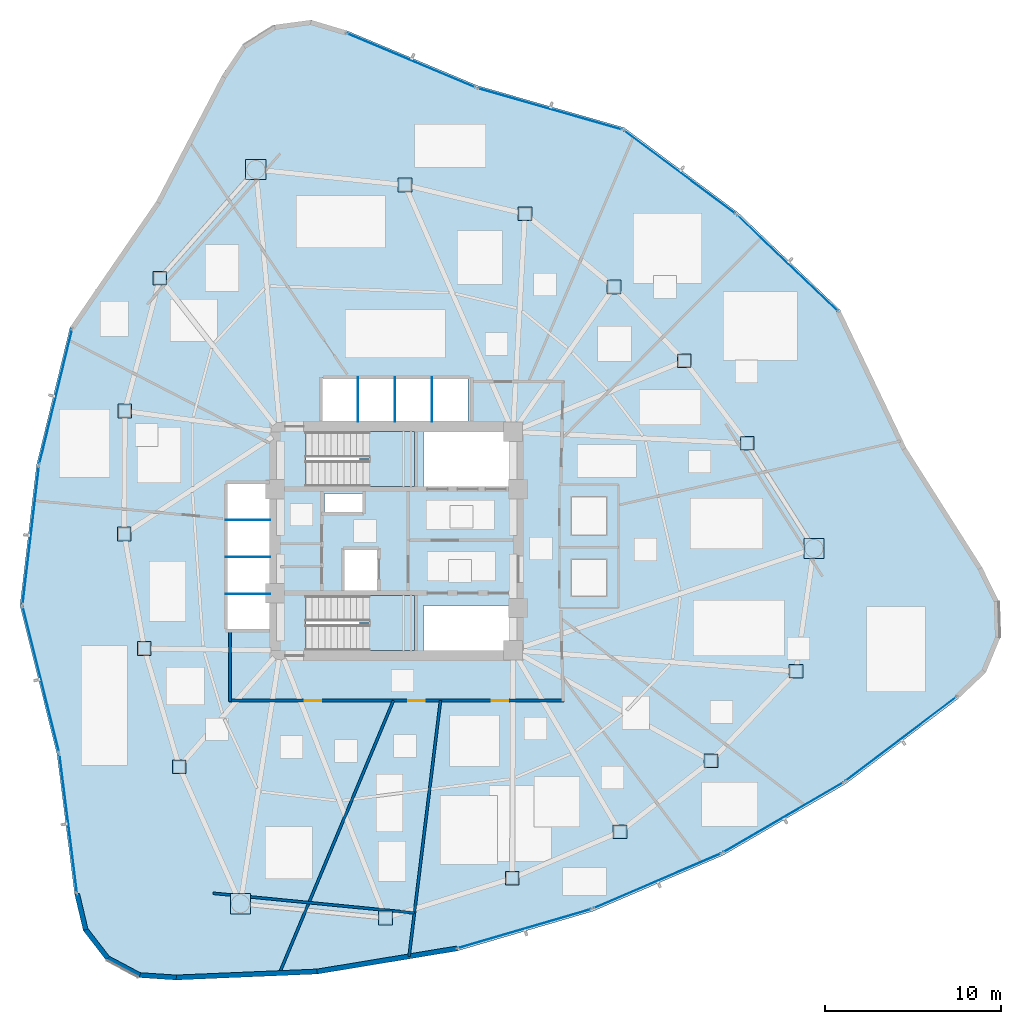
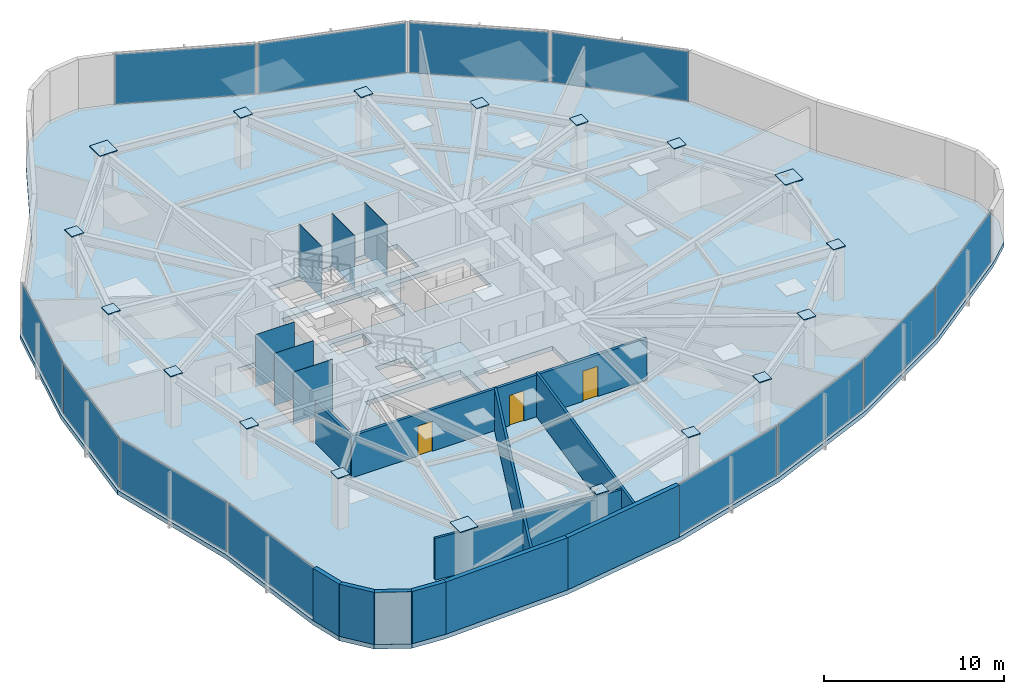
# One storey, part 10 of 17: 36 plates, 11 walls, 3 doors, 3 slabs, 3 openings, 14 elements without a shape of their own.
"""IFC4 building model written with IfcOpenShell, lengths in metres."""

from ifc_helpers import new_model, si_unit, direction, frame, frame_2d, origin, origin_2d, place, context, subcontext, project, spatial, polyline, rectangle, outline, extrude, source, transform, mapped, material, layer, layer_set, type_object, type_shapes, element, fill, aggregate, save


model = new_model("IFC4")

# Units and contexts
model_context = context("Model", 3, precision=1e-05, world=origin(), true_north=direction((0.0, 1.0)))
body_context = subcontext(model_context, "Body", "Model", "MODEL_VIEW")
ifc_project = project(units=[si_unit("LENGTHUNIT", "METRE"), si_unit("AREAUNIT", "SQUARE_METRE"), si_unit("VOLUMEUNIT", "CUBIC_METRE"), si_unit("PLANEANGLEUNIT", "RADIAN"), si_unit("MASSUNIT", "GRAM", prefix="KILO")], contexts=[model_context])

# Site, building, storey
site_placement = place(None, origin())
site = spatial("IfcSite", under=ifc_project, at=site_placement, CompositionType="ELEMENT")
building_placement = place(site_placement, origin())
building = spatial("IfcBuilding", under=site, at=building_placement, Name="Tavelor Broadcast Tower", CompositionType="ELEMENT")
storey_placement = place(building_placement, frame((0.0, 0.0, 115.60009765625)))
storey = spatial("IfcBuildingStorey", under=building, at=storey_placement, Name="L26", CompositionType="ELEMENT", Elevation=115.60009765625)

# Stair, slab
ifc_material_1 = material(Name="Concrete C40/50", Category="concrete")
stair_type = type_object("IfcStairType", Name="Reinforced Concrete Protected Dogleg Stair 1450 mm", PredefinedType="HALF_TURN_STAIR", material=ifc_material_1)
stair_1_placement = place(storey_placement, origin())
stair_1 = element("IfcStair", 1, at=stair_1_placement, inside=storey, type_object=stair_type, Name="L26 Protected Core Exit Stair ST1", PredefinedType="HALF_TURN_STAIR")
ifc_layer_1 = layer(ifc_material_1, 0.199951171875)
ifc_layer_set_1 = layer_set([ifc_layer_1], Name="Concrete C40/50")
slab_type_1 = type_object("IfcSlabType", Name="Reinforced Concrete Stair Half-Landing Slab 200 mm", PredefinedType="LANDING", material=ifc_layer_set_1)
slab_1_placement = place(storey_placement, frame((0.0, 0.0, 1.724853515625)))
slab_1 = element("IfcSlab", 2, at=slab_1_placement, type_object=slab_type_1, Name="ST1 landing 1", PredefinedType="LANDING", context=body_context, shape_type="SweptSolid", body=[
    extrude(outline(polyline([(48.445068359375, 49.590087890625), (48.445068359375, 48.094970703125), (51.0048828125, 48.094970703125), (51.0048828125, 51.205078125), (48.445068359375, 51.205078125), (48.445068359375, 49.7099609375), (47.905029296875, 49.7099609375), (47.905029296875, 49.590087890625), (48.445068359375, 49.590087890625)])), origin(), (0.0, 0.0, 1.0), 0.199951171875),
])
aggregate(stair_1, [slab_1])

stair_2_placement = place(storey_placement, origin())
stair_2 = element("IfcStair", 3, at=stair_2_placement, inside=storey, type_object=stair_type, Name="L26 Protected Core Exit Stair ST2", PredefinedType="HALF_TURN_STAIR")
slab_2_placement = place(storey_placement, frame((0.0, 0.0, 1.724853515625)))
slab_2 = element("IfcSlab", 4, at=slab_2_placement, type_object=slab_type_1, Name="ST2 landing 1", PredefinedType="LANDING", context=body_context, shape_type="SweptSolid", body=[
    extrude(outline(polyline([(48.445068359375, 40.2900390625), (48.445068359375, 38.794921875), (51.0048828125, 38.794921875), (51.0048828125, 41.905029296875), (48.445068359375, 41.905029296875), (48.445068359375, 40.409912109375), (47.905029296875, 40.409912109375), (47.905029296875, 40.2900390625), (48.445068359375, 40.2900390625)])), origin(), (0.0, 0.0, 1.0), 0.199951171875),
])
aggregate(stair_2, [slab_2])

# Slab
ifc_layer_2 = layer(ifc_material_1, 0.300048828125)
ifc_layer_set_2 = layer_set([ifc_layer_2], Name="Concrete C40/50")
slab_type_2 = type_object("IfcSlabType", Name="Tower Composite Floor Slab 300 mm", PredefinedType="FLOOR", material=ifc_layer_set_2)
slab_3_placement = place(storey_placement, frame((0.0, 0.0, -0.300048828125)))
element("IfcSlab", 5, at=slab_3_placement, inside=storey, type_object=slab_type_2, Name="L26 Structural Floor Slab", PredefinedType="FLOOR", context=body_context, shape_type="SweptSolid", body=[
    extrude(outline(polyline([(47.174072265625, 73.9580078125), (45.15087890625, 74.563232421875), (43.057861328125, 74.281982421875), (41.26611328125, 73.16455078125), (40.0927734375, 71.40869140625), (36.37158203125, 64.283935546875), (31.473388671875, 57.13330078125), (29.5732421875, 49.322998046875), (28.6318359375, 41.340576171875), (30.73046875, 32.930908203125), (31.734619140625, 24.955810546875), (32.22216796875, 22.901123046875), (33.51220703125, 21.22900390625), (35.375732421875, 20.236083984375), (37.48291015625, 20.097900390625), (45.513671875, 20.43798828125), (53.4443359375, 21.7470703125), (61.158203125, 24.00634765625), (68.5419921875, 27.1826171875), (75.487060546875, 31.22900390625), (81.8916015625, 36.0859375), (83.427001953125, 37.53564453125), (84.22998046875, 39.48876953125), (84.158203125, 41.599365234375), (83.224365234375, 43.493408203125), (78.91455078125, 50.278076171875), (75.1708984375, 58.095703125), (69.357421875, 63.646240234375), (62.914794921875, 68.45263671875), (54.58251953125, 70.84033203125), (47.174072265625, 73.9580078125)]), holes=[polyline([(56.60009765625, 38.800048828125), (51.52001953125, 38.800048828125), (51.52001953125, 41.35009765625), (56.60009765625, 41.35009765625), (56.60009765625, 38.800048828125)]), polyline([(50.99609375, 38.803955078125), (44.85400390625, 38.803955078125), (44.85400390625, 41.89599609375), (50.99609375, 41.89599609375), (50.99609375, 38.803955078125)]), polyline([(47.050048828125, 42.199951171875), (47.050048828125, 44.550048828125), (48.949951171875, 44.550048828125), (48.949951171875, 42.199951171875), (47.050048828125, 42.199951171875)]), polyline([(40.35009765625, 40.0), (40.35009765625, 48.25), (42.800048828125, 48.25), (42.800048828125, 40.0), (40.35009765625, 40.0)]), polyline([(48.050048828125, 46.64990234375), (45.89990234375, 46.64990234375), (45.89990234375, 47.699951171875), (48.050048828125, 47.699951171875), (48.050048828125, 46.64990234375)]), polyline([(50.99609375, 48.10400390625), (44.85400390625, 48.10400390625), (44.85400390625, 51.196044921875), (50.99609375, 51.196044921875), (50.99609375, 48.10400390625)]), polyline([(56.60009765625, 48.10009765625), (51.52001953125, 48.10009765625), (51.52001953125, 51.199951171875), (56.60009765625, 51.199951171875), (56.60009765625, 48.10009765625)]), polyline([(54.050048828125, 51.800048828125), (45.800048828125, 51.800048828125), (45.800048828125, 54.25), (54.050048828125, 54.25), (54.050048828125, 51.800048828125)])]), origin(), (0.0, 0.0, 1.0), 0.300048828125),
])

# Plates
ifc_material_2 = material(Name="Steel S460", Category="steel")
ifc_layer_3 = layer(ifc_material_2, 0.050048828125)
ifc_layer_set_3 = layer_set([ifc_layer_3], Name="Steel S460")
plate_type_1 = type_object("IfcPlateType", Name="Tube Hollow-End Cap Plate KN05 700x700x50", PredefinedType="USERDEFINED", material=ifc_layer_set_3)
shared_shape_1 = source(origin(), body_context, "Body", "SweptSolid", [
    extrude(rectangle(XDim=1.14697265625, YDim=1.14697265625, at=origin_2d()), origin(), (0.0, 0.0, 1.0), 0.054931640625),
])
for number, where, z_axis, x_axis, name in (
    (6, (42.01123046875, 66.080078125, 3.5224609375), (0.0, 0.0, 1.0), (1.0, 0.0, 0.0), "L26 Hollow End Cap Plate KN05 #765"),
    (7, (41.138671875, 24.423828125, 3.5224609375), (0.0, 0.0, 1.0), (1.0, 0.0, 0.0), "L26 Hollow End Cap Plate KN05 #771"),
    (8, (73.676025390625, 44.57958984375, 3.5224609375), (0.0, 0.0, 1.0), (1.0, 0.0, 0.0), "L26 Hollow End Cap Plate KN05 #777"),
):
    element("IfcPlate", number, at=place(storey_placement, frame(where, z_axis=z_axis, x_axis=x_axis)), inside=storey, type_object=plate_type_1, Name=name, ObjectType="CAP PLATE", PredefinedType="USERDEFINED", context=body_context, shape_type="MappedRepresentation", body=[
        mapped(shared_shape_1, transform((0.0, 0.0, 0.0), scale=1.0)),
    ])
shared_shape_2 = source(origin(), body_context, "Body", "SweptSolid", [
    extrude(rectangle(XDim=0.780029296875, YDim=0.780029296875, at=origin_2d()), origin(), (0.0, 0.0, 1.0), 0.054931640625),
])
type_shapes(plate_type_1, [shared_shape_1, shared_shape_2])
for number, where, z_axis, x_axis, name in (
    (9, (36.567626953125, 59.91064453125, 3.5224609375), (0.0, 0.0, 1.0), (1.0, 0.0, 0.0), "L26 Hollow End Cap Plate KN05 #766"),
    (10, (34.5751953125, 52.37939453125, 3.5224609375), (0.0, 0.0, 1.0), (1.0, 0.0, 0.0), "L26 Hollow End Cap Plate KN05 #767"),
    (11, (34.54638671875, 45.399169921875, 3.5224609375), (0.0, 0.0, 1.0), (1.0, 0.0, 0.0), "L26 Hollow End Cap Plate KN05 #768"),
    (12, (35.680908203125, 38.89990234375, 3.5224609375), (0.0, 0.0, 1.0), (1.0, 0.0, 0.0), "L26 Hollow End Cap Plate KN05 #769"),
    (13, (37.668212890625, 32.1904296875, 3.5224609375), (0.0, 0.0, 1.0), (1.0, 0.0, 0.0), "L26 Hollow End Cap Plate KN05 #770"),
    (14, (49.366455078125, 23.618896484375, 3.5224609375), (0.0, 0.0, 1.0), (1.0, 0.0, 0.0), "L26 Hollow End Cap Plate KN05 #772"),
    (15, (56.56103515625, 25.872802734375, 3.5224609375), (0.0, 0.0, 1.0), (1.0, 0.0, 0.0), "L26 Hollow End Cap Plate KN05 #773"),
    (16, (62.669189453125, 28.503173828125, 3.5224609375), (0.0, 0.0, 1.0), (1.0, 0.0, 0.0), "L26 Hollow End Cap Plate KN05 #774"),
    (17, (67.84228515625, 32.53173828125, 3.5224609375), (0.0, 0.0, 1.0), (1.0, 0.0, 0.0), "L26 Hollow End Cap Plate KN05 #775"),
    (18, (72.6591796875, 37.607421875, 3.5224609375), (0.0, 0.0, 1.0), (1.0, 0.0, 0.0), "L26 Hollow End Cap Plate KN05 #776"),
    (19, (69.885986328125, 50.544189453125, 3.5224609375), (0.0, 0.0, 1.0), (1.0, 0.0, 0.0), "L26 Hollow End Cap Plate KN05 #778"),
    (20, (66.322021484375, 55.228759765625, 3.5224609375), (0.0, 0.0, 1.0), (1.0, 0.0, 0.0), "L26 Hollow End Cap Plate KN05 #779"),
    (21, (62.330810546875, 59.416259765625, 3.5224609375), (0.0, 0.0, 1.0), (1.0, 0.0, 0.0), "L26 Hollow End Cap Plate KN05 #780"),
    (22, (57.276611328125, 63.568359375, 3.5224609375), (0.0, 0.0, 1.0), (1.0, 0.0, 0.0), "L26 Hollow End Cap Plate KN05 #781"),
    (23, (50.472412109375, 65.2021484375, 3.5224609375), (0.0, 0.0, 1.0), (1.0, 0.0, 0.0), "L26 Hollow End Cap Plate KN05 #782"),
):
    element("IfcPlate", number, at=place(storey_placement, frame(where, z_axis=z_axis, x_axis=x_axis)), inside=storey, type_object=plate_type_1, Name=name, ObjectType="CAP PLATE", PredefinedType="USERDEFINED", context=body_context, shape_type="MappedRepresentation", body=[
        mapped(shared_shape_2, transform((0.0, 0.0, 0.0), scale=1.0)),
    ])
ifc_material_3 = material(Name="Steel S355", Category="steel")
ifc_layer_4 = layer(ifc_material_3, 0.011962890625)
ifc_layer_set_4 = layer_set([ifc_layer_4], Name="Steel S355")
plate_type_2 = type_object("IfcPlateType", Name="Hoistway Steel Separator Screen 12 mm", PredefinedType="SHEET", material=ifc_layer_set_4)
shared_shape_3 = source(origin(), body_context, "Body", "SweptSolid", [
    extrude(rectangle(XDim=2.52001953125, YDim=0.02001953125, at=origin_2d()), origin(), (0.0, 0.0, 1.0), 3.550048828125),
])
for number, where, z_axis, x_axis, name in (
    (24, (41.56005859375, 42.0, 0.0), (0.0, 0.0, 1.0), (1.0, 0.0, 0.0), "L26 Low-Rise Hoistway Separator Screen 1"),
    (25, (41.56005859375, 44.10009765625, 0.0), (0.0, 0.0, 1.0), (1.0, 0.0, 0.0), "L26 Low-Rise Hoistway Separator Screen 2"),
    (26, (41.56005859375, 46.199951171875, 0.0), (0.0, 0.0, 1.0), (1.0, 0.0, 0.0), "L26 Low-Rise Hoistway Separator Screen 3"),
):
    element("IfcPlate", number, at=place(storey_placement, frame(where, z_axis=z_axis, x_axis=x_axis)), inside=storey, type_object=plate_type_2, Name=name, PredefinedType="SHEET", context=body_context, shape_type="MappedRepresentation", body=[
        mapped(shared_shape_3, transform((0.0, 0.0, 0.0), scale=1.0)),
    ])
shared_shape_4 = source(origin(), body_context, "Body", "SweptSolid", [
    extrude(rectangle(XDim=0.02001953125, YDim=2.52001953125, at=origin_2d()), origin(), (0.0, 0.0, 1.0), 3.550048828125),
])
type_shapes(plate_type_2, [shared_shape_3, shared_shape_4])
for number, where, z_axis, x_axis, name in (
    (27, (47.800048828125, 53.0400390625, 0.0), (0.0, 0.0, 1.0), (1.0, 0.0, 0.0), "L26 High-Rise Hoistway Separator Screen 1"),
    (28, (49.89990234375, 53.0400390625, 0.0), (0.0, 0.0, 1.0), (1.0, 0.0, 0.0), "L26 High-Rise Hoistway Separator Screen 2"),
    (29, (52.0, 53.0400390625, 0.0), (0.0, 0.0, 1.0), (1.0, 0.0, 0.0), "L26 High-Rise Hoistway Separator Screen 3"),
):
    element("IfcPlate", number, at=place(storey_placement, frame(where, z_axis=z_axis, x_axis=x_axis)), inside=storey, type_object=plate_type_2, Name=name, PredefinedType="SHEET", context=body_context, shape_type="MappedRepresentation", body=[
        mapped(shared_shape_4, transform((0.0, 0.0, 0.0), scale=1.0)),
    ])

# Curtain wall, plate
ifc_material_4 = material(Name="Architectural Anodized Aluminium", Category="aluminium")
ifc_layer_5 = layer(ifc_material_4, 0.18994140625)
ifc_layer_set_5 = layer_set([ifc_layer_5], Name="Architectural Anodized Aluminium")
curtain_wall_type = type_object("IfcCurtainWallType", Name="Tower Mid-Zone Acoustic Curtain Wall CW03", PredefinedType="NOTDEFINED", material=ifc_layer_set_5)
curtain_wall_1_placement = place(storey_placement, origin())
curtain_wall_1 = element("IfcCurtainWall", 30, at=curtain_wall_1_placement, inside=storey, type_object=curtain_wall_type, Name="L26 Curtain Wall CW03 Run 253", PredefinedType="NOTDEFINED")
ifc_material_5 = material(Name="Solar Control Double Glazing 30 mm", Category="glass")
ifc_layer_6 = layer(ifc_material_5, 0.030029296875)
ifc_layer_set_6 = layer_set([ifc_layer_6], Name="Solar Control Double Glazing 30 mm")
plate_type_3 = type_object("IfcPlateType", Name="CW03 Insulated Vision Glazing Panel 30 mm", PredefinedType="CURTAIN_PANEL", material=ifc_layer_set_6)
shared_shape_5 = source(origin(), body_context, "Body", "SweptSolid", [
    extrude(rectangle(XDim=7.852783203125, YDim=0.030029296875, at=origin_2d()), origin(), (0.0, 0.0, 1.0), 3.4140625),
])
plate_1_placement = place(storey_placement, frame((30.6591796875, 53.194091796875, 0.06787109375), z_axis=(0.0, 0.0, 1.0), x_axis=(-0.236416418839, -0.971651829054, 0.0)))
plate_1 = element("IfcPlate", 31, at=plate_1_placement, type_object=plate_type_3, Name="CW03 panel 1.1", PredefinedType="CURTAIN_PANEL", context=body_context, shape_type="MappedRepresentation", body=[
    mapped(shared_shape_5, transform((0.0, 0.0, 0.0), scale=1.0)),
])
aggregate(curtain_wall_1, [plate_1])

curtain_wall_2_placement = place(storey_placement, origin())
curtain_wall_2 = element("IfcCurtainWall", 32, at=curtain_wall_2_placement, inside=storey, type_object=curtain_wall_type, Name="L26 Curtain Wall CW03 Run 261", PredefinedType="NOTDEFINED")
plate_2_placement = place(storey_placement, frame((72.166748046875, 60.7705078125, 0.06787109375), z_axis=(0.0, 0.0, 1.0), x_axis=(-0.723271705618, 0.690563566844, 0.0)))
plate_2 = element("IfcPlate", 33, at=plate_2_placement, type_object=plate_type_3, Name="CW03 panel 1.1", PredefinedType="CURTAIN_PANEL", context=body_context, shape_type="MappedRepresentation", body=[
    mapped(shared_shape_5, transform((0.0, 0.0, 0.0), scale=1.0)),
])
aggregate(curtain_wall_2, [plate_2])

curtain_wall_3_placement = place(storey_placement, origin())
curtain_wall_3 = element("IfcCurtainWall", 34, at=curtain_wall_3_placement, inside=storey, type_object=curtain_wall_type, Name="L26 Curtain Wall CW03 Run 254", PredefinedType="NOTDEFINED")
shared_shape_6 = source(origin(), body_context, "Body", "SweptSolid", [
    extrude(rectangle(XDim=7.837890625, YDim=0.030029296875, at=origin_2d()), origin(), (0.0, 0.0, 1.0), 3.4140625),
])
plate_3_placement = place(storey_placement, frame((29.24267578125, 45.323974609375, 0.06787109375), z_axis=(0.0, 0.0, 1.0), x_axis=(-0.117107557027, -0.993119237598, 0.0)))
plate_3 = element("IfcPlate", 35, at=plate_3_placement, type_object=plate_type_3, Name="CW03 panel 1.1", PredefinedType="CURTAIN_PANEL", context=body_context, shape_type="MappedRepresentation", body=[
    mapped(shared_shape_6, transform((0.0, 0.0, 0.0), scale=1.0)),
])
aggregate(curtain_wall_3, [plate_3])

curtain_wall_4_placement = place(storey_placement, origin())
curtain_wall_4 = element("IfcCurtainWall", 36, at=curtain_wall_4_placement, inside=storey, type_object=curtain_wall_type, Name="L26 Curtain Wall CW03 Run 255", PredefinedType="NOTDEFINED")
shared_shape_7 = source(origin(), body_context, "Body", "SweptSolid", [
    extrude(rectangle(XDim=8.484375, YDim=0.030029296875, at=origin_2d()), origin(), (0.0, 0.0, 1.0), 3.4140625),
])
plate_4_placement = place(storey_placement, frame((29.821044921875, 37.153076171875, 0.06787109375), z_axis=(0.0, 0.0, 1.0), x_axis=(0.242101607078, -0.970250901494, 0.0)))
plate_4 = element("IfcPlate", 37, at=plate_4_placement, type_object=plate_type_3, Name="CW03 panel 1.1", PredefinedType="CURTAIN_PANEL", context=body_context, shape_type="MappedRepresentation", body=[
    mapped(shared_shape_7, transform((0.0, 0.0, 0.0), scale=1.0)),
])
aggregate(curtain_wall_4, [plate_4])

curtain_wall_5_placement = place(storey_placement, origin())
curtain_wall_5 = element("IfcCurtainWall", 38, at=curtain_wall_5_placement, inside=storey, type_object=curtain_wall_type, Name="L26 Curtain Wall CW03 Run 263", PredefinedType="NOTDEFINED")
plate_5_placement = place(storey_placement, frame((58.69384765625, 69.5166015625, 0.06787109375), z_axis=(0.0, 0.0, 1.0), x_axis=(-0.961311790622, 0.275462594939, 0.0)))
plate_5 = element("IfcPlate", 39, at=plate_5_placement, type_object=plate_type_3, Name="CW03 panel 1.1", PredefinedType="CURTAIN_PANEL", context=body_context, shape_type="MappedRepresentation", body=[
    mapped(shared_shape_7, transform((0.0, 0.0, 0.0), scale=1.0)),
])
aggregate(curtain_wall_5, [plate_5])

curtain_wall_6_placement = place(storey_placement, origin())
curtain_wall_6 = element("IfcCurtainWall", 40, at=curtain_wall_6_placement, inside=storey, type_object=curtain_wall_type, Name="L26 Curtain Wall CW03 Run 256", PredefinedType="NOTDEFINED")
shared_shape_8 = source(origin(), body_context, "Body", "SweptSolid", [
    extrude(rectangle(XDim=7.8876953125, YDim=0.030029296875, at=origin_2d()), origin(), (0.0, 0.0, 1.0), 3.4140625),
])
plate_6_placement = place(storey_placement, frame((31.371337890625, 28.961181640625, 0.06787109375), z_axis=(0.0, 0.0, 1.0), x_axis=(0.124928951254, -0.992165690366, 0.0)))
plate_6 = element("IfcPlate", 41, at=plate_6_placement, type_object=plate_type_3, Name="CW03 panel 1.1", PredefinedType="CURTAIN_PANEL", context=body_context, shape_type="MappedRepresentation", body=[
    mapped(shared_shape_8, transform((0.0, 0.0, 0.0), scale=1.0)),
])
aggregate(curtain_wall_6, [plate_6])

curtain_wall_7_placement = place(storey_placement, origin())
curtain_wall_7 = element("IfcCurtainWall", 42, at=curtain_wall_7_placement, inside=storey, type_object=curtain_wall_type, Name="L26 Curtain Wall CW03 Run 264", PredefinedType="NOTDEFINED")
plate_7_placement = place(storey_placement, frame((50.824462890625, 72.27001953125, 0.06787109375), z_axis=(0.0, 0.0, 1.0), x_axis=(-0.921704567979, 0.387892626079, 0.0)))
plate_7 = element("IfcPlate", 43, at=plate_7_placement, type_object=plate_type_3, Name="CW03 panel 1.1", PredefinedType="CURTAIN_PANEL", context=body_context, shape_type="MappedRepresentation", body=[
    mapped(shared_shape_8, transform((0.0, 0.0, 0.0), scale=1.0)),
])
aggregate(curtain_wall_7, [plate_7])

curtain_wall_8_placement = place(storey_placement, origin())
curtain_wall_8 = element("IfcCurtainWall", 44, at=curtain_wall_8_placement, inside=storey, type_object=curtain_wall_type, Name="L26 Curtain Wall CW03 Run 257", PredefinedType="NOTDEFINED")
shared_shape_9 = source(origin(), body_context, "Body", "SweptSolid", [
    extrude(rectangle(XDim=7.869873046875, YDim=0.030029296875, at=origin_2d()), origin(), (0.0, 0.0, 1.0), 3.4140625),
])
plate_8_placement = place(storey_placement, frame((57.254638671875, 23.009033203125, 0.06787109375), z_axis=(0.0, 0.0, 1.0), x_axis=(0.959683921971, 0.281081429324, 0.0)))
plate_8 = element("IfcPlate", 45, at=plate_8_placement, type_object=plate_type_3, Name="CW03 panel 1.1", PredefinedType="CURTAIN_PANEL", context=body_context, shape_type="MappedRepresentation", body=[
    mapped(shared_shape_9, transform((0.0, 0.0, 0.0), scale=1.0)),
])
aggregate(curtain_wall_8, [plate_8])

curtain_wall_9_placement = place(storey_placement, origin())
curtain_wall_9 = element("IfcCurtainWall", 46, at=curtain_wall_9_placement, inside=storey, type_object=curtain_wall_type, Name="L26 Curtain Wall CW03 Run 258", PredefinedType="NOTDEFINED")
shared_shape_10 = source(origin(), body_context, "Body", "SweptSolid", [
    extrude(rectangle(XDim=7.85498046875, YDim=0.030029296875, at=origin_2d()), origin(), (0.0, 0.0, 1.0), 3.4140625),
])
plate_9_placement = place(storey_placement, frame((64.794677734375, 25.72314453125, 0.06787109375), z_axis=(0.0, 0.0, 1.0), x_axis=(0.918617316869, 0.395148358403, 0.0)))
plate_9 = element("IfcPlate", 47, at=plate_9_placement, type_object=plate_type_3, Name="CW03 panel 1.1", PredefinedType="CURTAIN_PANEL", context=body_context, shape_type="MappedRepresentation", body=[
    mapped(shared_shape_10, transform((0.0, 0.0, 0.0), scale=1.0)),
])
aggregate(curtain_wall_9, [plate_9])

curtain_wall_10_placement = place(storey_placement, origin())
curtain_wall_10 = element("IfcCurtainWall", 48, at=curtain_wall_10_placement, inside=storey, type_object=curtain_wall_type, Name="L26 Curtain Wall CW03 Run 259", PredefinedType="NOTDEFINED")
plate_10_placement = place(storey_placement, frame((71.944091796875, 29.32666015625, 0.06787109375), z_axis=(0.0, 0.0, 1.0), x_axis=(0.864050195903, 0.503405660437, 0.0)))
plate_10 = element("IfcPlate", 49, at=plate_10_placement, type_object=plate_type_3, Name="CW03 panel 1.1", PredefinedType="CURTAIN_PANEL", context=body_context, shape_type="MappedRepresentation", body=[
    mapped(shared_shape_10, transform((0.0, 0.0, 0.0), scale=1.0)),
])
aggregate(curtain_wall_10, [plate_10])

curtain_wall_11_placement = place(storey_placement, origin())
curtain_wall_11 = element("IfcCurtainWall", 50, at=curtain_wall_11_placement, inside=storey, type_object=curtain_wall_type, Name="L26 Curtain Wall CW03 Run 260", PredefinedType="NOTDEFINED")
shared_shape_11 = source(origin(), body_context, "Body", "SweptSolid", [
    extrude(rectangle(XDim=7.870849609375, YDim=0.030029296875, at=origin_2d()), origin(), (0.0, 0.0, 1.0), 3.4140625),
])
plate_11_placement = place(storey_placement, frame((78.611083984375, 33.77392578125, 0.06787109375), z_axis=(0.0, 0.0, 1.0), x_axis=(0.796785822358, 0.604261825113, 0.0)))
plate_11 = element("IfcPlate", 51, at=plate_11_placement, type_object=plate_type_3, Name="CW03 panel 1.1", PredefinedType="CURTAIN_PANEL", context=body_context, shape_type="MappedRepresentation", body=[
    mapped(shared_shape_11, transform((0.0, 0.0, 0.0), scale=1.0)),
])
aggregate(curtain_wall_11, [plate_11])

curtain_wall_12_placement = place(storey_placement, origin())
curtain_wall_12 = element("IfcCurtainWall", 52, at=curtain_wall_12_placement, inside=storey, type_object=curtain_wall_type, Name="L26 Curtain Wall CW03 Run 262", PredefinedType="NOTDEFINED")
shared_shape_12 = source(origin(), body_context, "Body", "SweptSolid", [
    extrude(rectangle(XDim=7.837646484375, YDim=0.030029296875, at=origin_2d()), origin(), (0.0, 0.0, 1.0), 3.4140625),
])
type_shapes(plate_type_3, [shared_shape_5, shared_shape_6, shared_shape_7, shared_shape_8, shared_shape_9, shared_shape_10, shared_shape_11, shared_shape_12])
plate_12_placement = place(storey_placement, frame((66.05908203125, 65.93212890625, 0.06787109375), z_axis=(0.0, 0.0, 1.0), x_axis=(-0.801515917581, 0.597973439096, 0.0)))
plate_12 = element("IfcPlate", 53, at=plate_12_placement, type_object=plate_type_3, Name="CW03 panel 1.1", PredefinedType="CURTAIN_PANEL", context=body_context, shape_type="MappedRepresentation", body=[
    mapped(shared_shape_12, transform((0.0, 0.0, 0.0), scale=1.0)),
])
aggregate(curtain_wall_12, [plate_12])

# Wall, openings, doors
ifc_material_6 = material(Name="Calcium Silicate Fire Board 180 mm", Category="gypsum")
ifc_layer_7 = layer(ifc_material_6, 0.179931640625)
ifc_layer_set_7 = layer_set([ifc_layer_7], Name="Calcium Silicate Fire Board 180 mm")
wall_type_1 = type_object("IfcWallType", Name="Fire-Rated Corridor Partition Wall 180 mm", PredefinedType="PARTITIONING", material=ifc_layer_set_7)
wall_1_placement = place(storey_placement, frame((59.5, 35.949951171875, 0.0), z_axis=(0.0, 0.0, 1.0), x_axis=(-1.0, 0.0, 0.0)))
wall_1 = element("IfcWall", 54, at=wall_1_placement, inside=storey, type_object=wall_type_1, Name="L26 Corridor Compartment Wall 04", PredefinedType="PARTITIONING", context=body_context, shape_type="SweptSolid", body=[
    extrude(rectangle(XDim=19.0, YDim=0.179931640625, at=frame_2d((9.5, 0.0))), origin(), (0.0, 0.0, 1.0), 2.8349609375),
])
opening_1_placement = place(wall_1_placement, frame((3.154541015625, 0.0, 0.0)))
opening_1 = element("IfcOpeningElement", 55, at=opening_1_placement, cuts=wall_1, Name="Opening DR18", PredefinedType="OPENING", context=body_context, shape_type="SweptSolid", body=[
    extrude(rectangle(XDim=0.949951171875, YDim=2.050048828125, at=frame_2d((0.47509765625, 1.02490234375))), frame((0.0, 0.10009765625, 0.0), z_axis=(0.0, -1.0, 0.0), x_axis=(1.0, 0.0, 0.0)), (0.0, 0.0, 1.0), 0.199951171875),
])
opening_2_placement = place(wall_1_placement, frame((7.897216796875, 0.0, 0.0)))
opening_2 = element("IfcOpeningElement", 56, at=opening_2_placement, cuts=wall_1, Name="Opening DR18", PredefinedType="OPENING", context=body_context, shape_type="SweptSolid", body=[
    extrude(rectangle(XDim=0.949951171875, YDim=2.050048828125, at=frame_2d((0.47509765625, 1.02490234375))), frame((0.0, 0.10009765625, 0.0), z_axis=(0.0, -1.0, 0.0), x_axis=(1.0, 0.0, 0.0)), (0.0, 0.0, 1.0), 0.199951171875),
])
opening_3_placement = place(wall_1_placement, frame((13.7744140625, 0.0, 0.0)))
opening_3 = element("IfcOpeningElement", 57, at=opening_3_placement, cuts=wall_1, Name="Opening DR18", PredefinedType="OPENING", context=body_context, shape_type="SweptSolid", body=[
    extrude(rectangle(XDim=0.949951171875, YDim=2.050048828125, at=frame_2d((0.47509765625, 1.02490234375))), frame((0.0, 0.10009765625, 0.0), z_axis=(0.0, -1.0, 0.0), x_axis=(1.0, 0.0, 0.0)), (0.0, 0.0, 1.0), 0.199951171875),
])
ifc_material_7 = material(Name="Timber Solid Core Hardwood", Category="wood")
door_type = type_object("IfcDoorType", Name="Corridor Rated Compartment Door 950x2050", OperationType="NOTDEFINED", PredefinedType="DOOR", material=ifc_material_7)
door_1_placement = place(opening_1_placement, origin())
door_1 = element("IfcDoor", 58, at=door_1_placement, inside=storey, type_object=door_type, Name="L26 VFX Compositing Lab Door R3", OperationType="SINGLE_SWING_LEFT", OverallHeight=2.050048828125, OverallWidth=0.949951171875, PredefinedType="DOOR", context=body_context, shape_type="SweptSolid", body=[
    extrude(rectangle(XDim=0.949951171875, YDim=2.050048828125, at=frame_2d((0.47509765625, 1.02490234375))), frame((0.0, 0.02490234375, 0.0), z_axis=(0.0, -1.0, 0.0), x_axis=(1.0, 0.0, 0.0)), (0.0, 0.0, 1.0), 0.050048828125),
])
fill(opening_1, door_1)
door_2_placement = place(opening_2_placement, origin())
door_2 = element("IfcDoor", 59, at=door_2_placement, inside=storey, type_object=door_type, Name="L26 Broadcast Production Studio Door R4", OperationType="SINGLE_SWING_RIGHT", OverallHeight=2.050048828125, OverallWidth=0.949951171875, PredefinedType="DOOR", context=body_context, shape_type="SweptSolid", body=[
    extrude(rectangle(XDim=0.949951171875, YDim=2.050048828125, at=frame_2d((0.47509765625, 1.02490234375))), frame((0.0, 0.02490234375, 0.0), z_axis=(0.0, -1.0, 0.0), x_axis=(1.0, 0.0, 0.0)), (0.0, 0.0, 1.0), 0.050048828125),
])
fill(opening_2, door_2)
door_3_placement = place(opening_3_placement, origin())
door_3 = element("IfcDoor", 60, at=door_3_placement, inside=storey, type_object=door_type, Name="L26 Satellite Control Room Door R5", OperationType="SINGLE_SWING_LEFT", OverallHeight=2.050048828125, OverallWidth=0.949951171875, PredefinedType="DOOR", context=body_context, shape_type="SweptSolid", body=[
    extrude(rectangle(XDim=0.949951171875, YDim=2.050048828125, at=frame_2d((0.47509765625, 1.02490234375))), frame((0.0, 0.02490234375, 0.0), z_axis=(0.0, -1.0, 0.0), x_axis=(1.0, 0.0, 0.0)), (0.0, 0.0, 1.0), 0.050048828125),
])
fill(opening_3, door_3)

# Walls
wall_2_placement = place(storey_placement, frame((40.550048828125, 35.89990234375, 0.0), z_axis=(0.0, 0.0, 1.0), x_axis=(0.0, 1.0, 0.0)))
element("IfcWall", 61, at=wall_2_placement, inside=storey, type_object=wall_type_1, Name="L26 Corridor Compartment Wall 05", PredefinedType="PARTITIONING", context=body_context, shape_type="SweptSolid", body=[
    extrude(rectangle(XDim=3.9501953125, YDim=0.179931640625, at=frame_2d((1.97509765625, 0.0))), origin(), (0.0, 0.0, 1.0), 2.8349609375),
])
ifc_material_8 = material(Name="Precast Concrete C40/50", Category="concrete")
ifc_layer_8 = layer(ifc_material_8, 0.280029296875)
ifc_layer_set_8 = layer_set([ifc_layer_8], Name="Precast Concrete C40/50")
wall_type_2 = type_object("IfcWallType", Name="Insulated Precast Terracotta Facade Wall 280 mm", PredefinedType="STANDARD", material=ifc_layer_set_8)
wall_3_placement = place(storey_placement, frame((31.87158203125, 24.984619140625, 0.0), z_axis=(0.0, 0.0, 1.0), x_axis=(0.230852959635, -0.972988648972, 0.0)))
element("IfcWall", 62, at=wall_3_placement, inside=storey, type_object=wall_type_2, Name="L26 Rounded Corner Structural Cladding Pier 11", PredefinedType="STANDARD", context=body_context, shape_type="SweptSolid", body=[
    extrude(rectangle(XDim=2.093017578125, YDim=0.280029296875, at=frame_2d((1.04638671875, 0.0))), origin(), (0.0, 0.0, 1.0), 3.5498046875),
])
wall_4_placement = place(storey_placement, frame((32.34228515625, 22.974609375, 0.0), z_axis=(0.0, 0.0, 1.0), x_axis=(0.610866481305, -0.791733630723, 0.0)))
element("IfcWall", 63, at=wall_4_placement, inside=storey, type_object=wall_type_2, Name="L26 Rounded Corner Structural Cladding Pier 12", PredefinedType="STANDARD", context=body_context, shape_type="SweptSolid", body=[
    extrude(rectangle(XDim=2.08154296875, YDim=0.280029296875, at=frame_2d((1.040771484375, 0.0))), origin(), (0.0, 0.0, 1.0), 3.5498046875),
])
wall_5_placement = place(storey_placement, frame((33.59130859375, 21.345458984375, 0.0), z_axis=(0.0, 0.0, 1.0), x_axis=(0.882537949576, -0.470241180203, 0.0)))
element("IfcWall", 64, at=wall_5_placement, inside=storey, type_object=wall_type_2, Name="L26 Rounded Corner Structural Cladding Pier 13", PredefinedType="STANDARD", context=body_context, shape_type="SweptSolid", body=[
    extrude(rectangle(XDim=2.081298828125, YDim=0.280029296875, at=frame_2d((1.04052734375, 0.0))), origin(), (0.0, 0.0, 1.0), 3.5498046875),
])
wall_6_placement = place(storey_placement, frame((35.400146484375, 20.374755859375, 0.0), z_axis=(0.0, 0.0, 1.0), x_axis=(0.997863527184, -0.065332848681, 0.0)))
element("IfcWall", 65, at=wall_6_placement, inside=storey, type_object=wall_type_2, Name="L26 Rounded Corner Structural Cladding Pier 14", PredefinedType="STANDARD", context=body_context, shape_type="SweptSolid", body=[
    extrude(rectangle(XDim=2.103759765625, YDim=0.280029296875, at=frame_2d((1.0517578125, 0.0))), origin(), (0.0, 0.0, 1.0), 3.5498046875),
])
wall_7_placement = place(storey_placement, frame((37.469482421875, 20.237548828125, 0.0), z_axis=(0.0, 0.0, 1.0), x_axis=(0.999106386845, 0.042266153898, 0.0)))
element("IfcWall", 66, at=wall_7_placement, inside=storey, type_object=wall_type_2, Name="L26 Rounded Corner Structural Cladding Pier 15", PredefinedType="STANDARD", context=body_context, shape_type="SweptSolid", body=[
    extrude(rectangle(XDim=8.052001953125, YDim=0.280029296875, at=frame_2d((4.02587890625, 0.0))), origin(), (0.0, 0.0, 1.0), 3.5498046875),
])
wall_8_placement = place(storey_placement, frame((45.484619140625, 20.574951171875, 0.0), z_axis=(0.0, 0.0, 1.0), x_axis=(0.986644726954, 0.162887024572, 0.0)))
element("IfcWall", 67, at=wall_8_placement, inside=storey, type_object=wall_type_2, Name="L26 Rounded Corner Structural Cladding Pier 16", PredefinedType="STANDARD", context=body_context, shape_type="SweptSolid", body=[
    extrude(rectangle(XDim=8.039794921875, YDim=0.280029296875, at=frame_2d((4.02001953125, 0.0))), origin(), (0.0, 0.0, 1.0), 3.5498046875),
])
ifc_material_9 = material(Name="Gypsum Acoustic Plasterboard 150 mm", Category="gypsum")
ifc_layer_9 = layer(ifc_material_9, 0.14990234375)
ifc_layer_set_9 = layer_set([ifc_layer_9], Name="Gypsum Acoustic Plasterboard 150 mm")
wall_type_3 = type_object("IfcWallType", Name="Interior Acoustic Partition Wall 150 mm", PredefinedType="PARTITIONING", material=ifc_layer_set_9)
wall_9_placement = place(storey_placement, frame((39.589111328125, 25.017578125, 0.0), z_axis=(0.0, 0.0, 1.0), x_axis=(0.99524905582, -0.097361783517, 0.0)))
element("IfcWall", 68, at=wall_9_placement, inside=storey, type_object=wall_type_3, Name="L26 Corner Tube Brace Furring Wall 2", PredefinedType="PARTITIONING", context=body_context, shape_type="SweptSolid", body=[
    extrude(rectangle(XDim=11.467041015625, YDim=0.14990234375, at=frame_2d((5.7333984375, 0.0))), origin(), (0.0, 0.0, 1.0), 2.8349609375),
])
wall_10_placement = place(storey_placement, frame((52.48876953125, 35.949951171875, 0.0), z_axis=(0.0, 0.0, 1.0), x_axis=(-0.121867943368, -0.992546323543, 0.0)))
element("IfcWall", 69, at=wall_10_placement, inside=storey, type_object=wall_type_3, Name="L26 Radial Compartment Wall 01", PredefinedType="PARTITIONING", context=body_context, shape_type="SweptSolid", body=[
    extrude(rectangle(XDim=14.63232421875, YDim=0.14990234375, at=frame_2d((7.316162109375, 0.0))), origin(), (0.0, 0.0, 1.0), 2.974853515625),
])
wall_11_placement = place(storey_placement, frame((49.817138671875, 35.949951171875, 0.0), z_axis=(0.0, 0.0, 1.0), x_axis=(-0.385665325274, -0.922638746683, 0.0)))
element("IfcWall", 70, at=wall_11_placement, inside=storey, type_object=wall_type_3, Name="L26 Radial Compartment Wall 10", PredefinedType="PARTITIONING", context=body_context, shape_type="SweptSolid", body=[
    extrude(rectangle(XDim=16.77099609375, YDim=0.14990234375, at=frame_2d((8.385498046875, 0.0))), origin(), (0.0, 0.0, 1.0), 2.8349609375),
])

save(model, "model.ifc")
